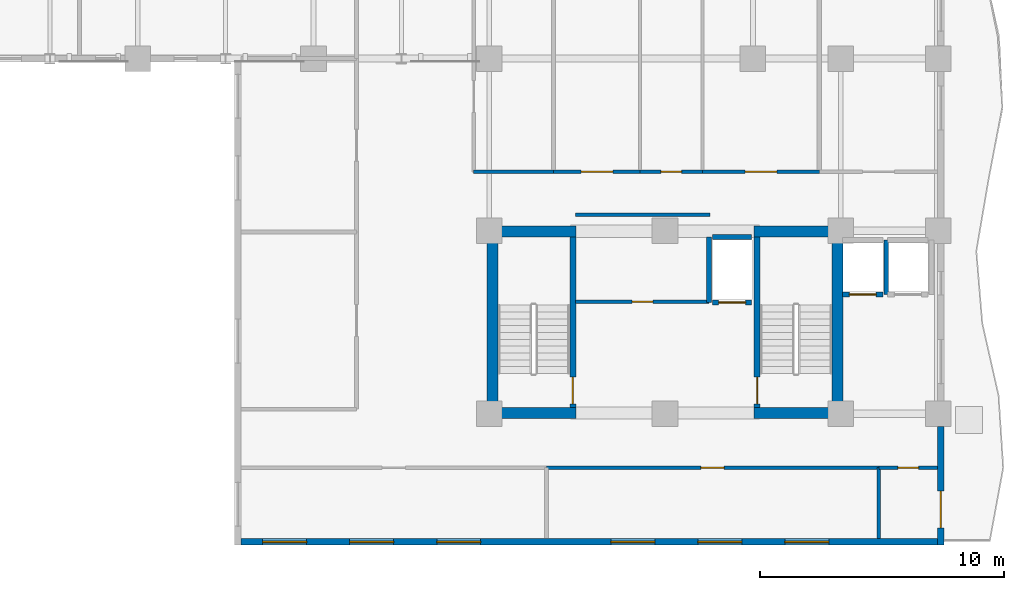
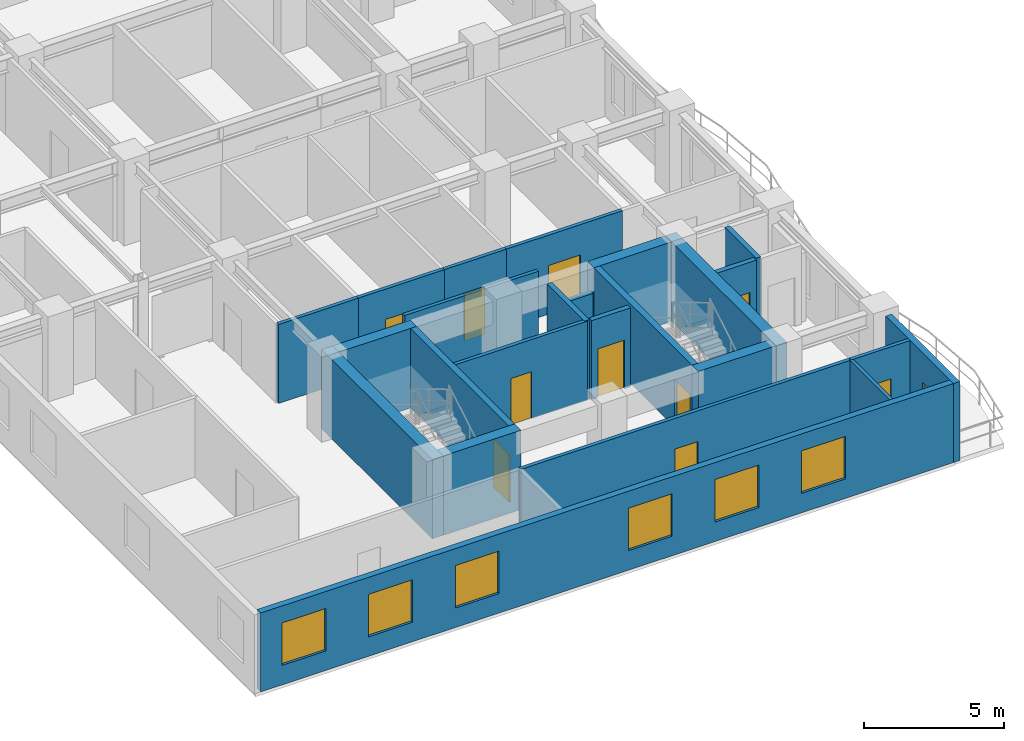
# One storey, part 6 of 14: 24 walls, 11 doors, 6 windows, 17 openings.
"""IFC4 building model written with IfcOpenShell, lengths in metres."""

from ifc_helpers import new_model, si_unit, direction, frame, frame_2d, origin, place, context, subcontext, project, spatial, rectangle, extrude, material, layer, layer_set, type_object, element, fill, save


model = new_model("IFC4")

# Units and contexts
model_context = context("Model", 3, precision=1e-05, world=origin(), true_north=direction((0.0, 1.0)))
body_context = subcontext(model_context, "Body", "Model", "MODEL_VIEW")
ifc_project = project(units=[si_unit("LENGTHUNIT", "METRE"), si_unit("AREAUNIT", "SQUARE_METRE"), si_unit("VOLUMEUNIT", "CUBIC_METRE"), si_unit("PLANEANGLEUNIT", "RADIAN"), si_unit("MASSUNIT", "GRAM", prefix="KILO")], contexts=[model_context])

# Site, building, storey
site_placement = place(None, origin())
site = spatial("IfcSite", under=ifc_project, at=site_placement, CompositionType="ELEMENT")
building_placement = place(site_placement, origin())
building = spatial("IfcBuilding", under=site, at=building_placement, Name="Kaliganga Portal Commons", CompositionType="ELEMENT")
storey_placement = place(building_placement, frame((0.0, 0.0, 151.300048828125)))
storey = spatial("IfcBuildingStorey", under=building, at=storey_placement, Name="L38", CompositionType="ELEMENT", Elevation=151.300048828125)

# Walls
ifc_material_1 = material(Name="Concrete C60/75", Category="concrete")
ifc_layer_1 = layer(ifc_material_1, 0.449951171875)
ifc_layer_set_1 = layer_set([ifc_layer_1], Name="Concrete C60/75")
wall_type_1 = type_object("IfcWallType", Name="WL-CORE-450", PredefinedType="SHEAR", material=ifc_layer_set_1)
for number, where, z_axis, x_axis, name in (
    (1, (36.125, 6.85009765625, 0.0), (0.0, 0.0, 1.0), (0.0, 1.0, 0.0), "Core B West Shear Wall L38"),
    (2, (50.27490234375, 6.85009765625, 0.0), (0.0, 0.0, 1.0), (0.0, 1.0, 0.0), "Core B East Shear Wall L38"),
):
    element("IfcWall", number, at=place(storey_placement, frame(where, z_axis=z_axis, x_axis=x_axis)), inside=storey, type_object=wall_type_1, Name=name, PredefinedType="SHEAR", context=body_context, shape_type="SweptSolid", body=[
        extrude(rectangle(XDim=7.89990234375, YDim=0.449951171875, at=frame_2d((3.949951171875, 0.0))), origin(), (0.0, 0.0, 1.0), 3.4599609375),
    ])
for number, where, z_axis, x_axis, name in (
    (3, (36.35009765625, 7.074951171875, 0.0), (0.0, 0.0, 1.0), (1.0, 0.0, 0.0), "Core B S-West Shear Wall L38"),
    (4, (46.85009765625, 7.074951171875, 0.0), (0.0, 0.0, 1.0), (1.0, 0.0, 0.0), "Core B S-East Shear Wall L38"),
    (5, (36.35009765625, 14.52490234375, 0.0), (0.0, 0.0, 1.0), (1.0, 0.0, 0.0), "Core B N-West Shear Wall L38"),
    (6, (46.85009765625, 14.52490234375, 0.0), (0.0, 0.0, 1.0), (1.0, 0.0, 0.0), "Core B N-East Shear Wall L38"),
):
    element("IfcWall", number, at=place(storey_placement, frame(where, z_axis=z_axis, x_axis=x_axis)), inside=storey, type_object=wall_type_1, Name=name, PredefinedType="SHEAR", context=body_context, shape_type="SweptSolid", body=[
        extrude(rectangle(XDim=3.199951171875, YDim=0.449951171875, at=frame_2d((1.60009765625, 0.0))), origin(), (0.0, 0.0, 1.0), 3.4599609375),
    ])

# Wall, openings, windows
ifc_material_2 = material(Name="Insulated Aluminium-Clad Spandrel Assembly", Category="aluminium")
ifc_layer_2 = layer(ifc_material_2, 0.260009765625)
ifc_layer_set_2 = layer_set([ifc_layer_2], Name="Insulated Aluminium-Clad Spandrel Assembly")
wall_type_2 = type_object("IfcWallType", Name="WL-EXT-SPAND-260", PredefinedType="STANDARD", material=ifc_layer_set_2)
wall_1_placement = place(storey_placement, frame((54.364990234375, 1.800048828125, 0.0), z_axis=(0.0, 0.0, 1.0), x_axis=(-1.0, 0.0, 0.0)))
wall_1 = element("IfcWall", 7, at=wall_1_placement, inside=storey, type_object=wall_type_2, Name="Exterior Envelope Wall L38 P1-E00-S1", PredefinedType="STANDARD", context=body_context, shape_type="SweptSolid", body=[
    extrude(rectangle(XDim=28.530029296875, YDim=0.260009765625, at=frame_2d((14.26513671875, 0.0))), origin(), (0.0, 0.0, 1.0), 3.43994140625),
])
opening_1_placement = place(wall_1_placement, frame((4.449462890625, 0.0, 0.85009765625)))
opening_1 = element("IfcOpeningElement", 8, at=opening_1_placement, cuts=wall_1, Name="Opening W-01", PredefinedType="OPENING", context=body_context, shape_type="SweptSolid", body=[
    extrude(rectangle(XDim=1.800048828125, YDim=1.85009765625, at=frame_2d((0.89990234375, 0.925048828125))), frame((0.0, 0.14013671875, 0.0), z_axis=(0.0, -1.0, 0.0), x_axis=(1.0, 0.0, 0.0)), (0.0, 0.0, 1.0), 0.280029296875),
])
opening_2_placement = place(wall_1_placement, frame((8.015625, 0.0, 0.85009765625)))
opening_2 = element("IfcOpeningElement", 9, at=opening_2_placement, cuts=wall_1, Name="Opening W-01", PredefinedType="OPENING", context=body_context, shape_type="SweptSolid", body=[
    extrude(rectangle(XDim=1.800048828125, YDim=1.85009765625, at=frame_2d((0.89990234375, 0.925048828125))), frame((0.0, 0.14013671875, 0.0), z_axis=(0.0, -1.0, 0.0), x_axis=(1.0, 0.0, 0.0)), (0.0, 0.0, 1.0), 0.280029296875),
])
opening_3_placement = place(wall_1_placement, frame((11.581787109375, 0.0, 0.85009765625)))
opening_3 = element("IfcOpeningElement", 10, at=opening_3_placement, cuts=wall_1, Name="Opening W-01", PredefinedType="OPENING", context=body_context, shape_type="SweptSolid", body=[
    extrude(rectangle(XDim=1.800048828125, YDim=1.85009765625, at=frame_2d((0.89990234375, 0.925048828125))), frame((0.0, 0.14013671875, 0.0), z_axis=(0.0, -1.0, 0.0), x_axis=(1.0, 0.0, 0.0)), (0.0, 0.0, 1.0), 0.280029296875),
])
opening_4_placement = place(wall_1_placement, frame((18.71435546875, 0.0, 0.85009765625)))
opening_4 = element("IfcOpeningElement", 11, at=opening_4_placement, cuts=wall_1, Name="Opening W-01", PredefinedType="OPENING", context=body_context, shape_type="SweptSolid", body=[
    extrude(rectangle(XDim=1.800048828125, YDim=1.85009765625, at=frame_2d((0.89990234375, 0.925048828125))), frame((0.0, 0.14013671875, 0.0), z_axis=(0.0, -1.0, 0.0), x_axis=(1.0, 0.0, 0.0)), (0.0, 0.0, 1.0), 0.280029296875),
])
opening_5_placement = place(wall_1_placement, frame((22.280517578125, 0.0, 0.85009765625)))
opening_5 = element("IfcOpeningElement", 12, at=opening_5_placement, cuts=wall_1, Name="Opening W-01", PredefinedType="OPENING", context=body_context, shape_type="SweptSolid", body=[
    extrude(rectangle(XDim=1.800048828125, YDim=1.85009765625, at=frame_2d((0.89990234375, 0.925048828125))), frame((0.0, 0.14013671875, 0.0), z_axis=(0.0, -1.0, 0.0), x_axis=(1.0, 0.0, 0.0)), (0.0, 0.0, 1.0), 0.280029296875),
])
opening_6_placement = place(wall_1_placement, frame((25.846923828125, 0.0, 0.85009765625)))
opening_6 = element("IfcOpeningElement", 13, at=opening_6_placement, cuts=wall_1, Name="Opening W-01", PredefinedType="OPENING", context=body_context, shape_type="SweptSolid", body=[
    extrude(rectangle(XDim=1.800048828125, YDim=1.85009765625, at=frame_2d((0.89990234375, 0.925048828125))), frame((0.0, 0.14013671875, 0.0), z_axis=(0.0, -1.0, 0.0), x_axis=(1.0, 0.0, 0.0)), (0.0, 0.0, 1.0), 0.280029296875),
])
ifc_material_3 = material(Name="Thermally Broken Aluminium and Low-E Double Glazing", Category="aluminium")
window_type = type_object("IfcWindowType", Name="WIN-STD-1800", PartitioningType="DOUBLE_PANEL_VERTICAL", PredefinedType="WINDOW", material=ifc_material_3)
window_1_placement = place(opening_1_placement, origin())
window_1 = element("IfcWindow", 14, at=window_1_placement, inside=storey, type_object=window_type, Name="Facade Window L38-P1E00S1-01", OverallHeight=1.85009765625, OverallWidth=1.800048828125, PartitioningType="SINGLE_PANEL", PredefinedType="WINDOW", context=body_context, shape_type="SweptSolid", body=[
    extrude(rectangle(XDim=1.800048828125, YDim=1.85009765625, at=frame_2d((0.89990234375, 0.925048828125))), frame((0.0, 0.030029296875, 0.0), z_axis=(0.0, -1.0, 0.0), x_axis=(1.0, 0.0, 0.0)), (0.0, 0.0, 1.0), 0.06005859375),
])
fill(opening_1, window_1)
window_2_placement = place(opening_2_placement, origin())
window_2 = element("IfcWindow", 15, at=window_2_placement, inside=storey, type_object=window_type, Name="Facade Window L38-P1E00S1-02", OverallHeight=1.85009765625, OverallWidth=1.800048828125, PartitioningType="SINGLE_PANEL", PredefinedType="WINDOW", context=body_context, shape_type="SweptSolid", body=[
    extrude(rectangle(XDim=1.800048828125, YDim=1.85009765625, at=frame_2d((0.89990234375, 0.925048828125))), frame((0.0, 0.030029296875, 0.0), z_axis=(0.0, -1.0, 0.0), x_axis=(1.0, 0.0, 0.0)), (0.0, 0.0, 1.0), 0.06005859375),
])
fill(opening_2, window_2)
window_3_placement = place(opening_3_placement, origin())
window_3 = element("IfcWindow", 16, at=window_3_placement, inside=storey, type_object=window_type, Name="Facade Window L38-P1E00S1-03", OverallHeight=1.85009765625, OverallWidth=1.800048828125, PartitioningType="SINGLE_PANEL", PredefinedType="WINDOW", context=body_context, shape_type="SweptSolid", body=[
    extrude(rectangle(XDim=1.800048828125, YDim=1.85009765625, at=frame_2d((0.89990234375, 0.925048828125))), frame((0.0, 0.030029296875, 0.0), z_axis=(0.0, -1.0, 0.0), x_axis=(1.0, 0.0, 0.0)), (0.0, 0.0, 1.0), 0.06005859375),
])
fill(opening_3, window_3)
window_4_placement = place(opening_4_placement, origin())
window_4 = element("IfcWindow", 17, at=window_4_placement, inside=storey, type_object=window_type, Name="Facade Window L38-P1E00S1-05", OverallHeight=1.85009765625, OverallWidth=1.800048828125, PartitioningType="SINGLE_PANEL", PredefinedType="WINDOW", context=body_context, shape_type="SweptSolid", body=[
    extrude(rectangle(XDim=1.800048828125, YDim=1.85009765625, at=frame_2d((0.89990234375, 0.925048828125))), frame((0.0, 0.030029296875, 0.0), z_axis=(0.0, -1.0, 0.0), x_axis=(1.0, 0.0, 0.0)), (0.0, 0.0, 1.0), 0.06005859375),
])
fill(opening_4, window_4)
window_5_placement = place(opening_5_placement, origin())
window_5 = element("IfcWindow", 18, at=window_5_placement, inside=storey, type_object=window_type, Name="Facade Window L38-P1E00S1-06", OverallHeight=1.85009765625, OverallWidth=1.800048828125, PartitioningType="SINGLE_PANEL", PredefinedType="WINDOW", context=body_context, shape_type="SweptSolid", body=[
    extrude(rectangle(XDim=1.800048828125, YDim=1.85009765625, at=frame_2d((0.89990234375, 0.925048828125))), frame((0.0, 0.030029296875, 0.0), z_axis=(0.0, -1.0, 0.0), x_axis=(1.0, 0.0, 0.0)), (0.0, 0.0, 1.0), 0.06005859375),
])
fill(opening_5, window_5)
window_6_placement = place(opening_6_placement, origin())
window_6 = element("IfcWindow", 19, at=window_6_placement, inside=storey, type_object=window_type, Name="Facade Window L38-P1E00S1-07", OverallHeight=1.85009765625, OverallWidth=1.800048828125, PartitioningType="SINGLE_PANEL", PredefinedType="WINDOW", context=body_context, shape_type="SweptSolid", body=[
    extrude(rectangle(XDim=1.800048828125, YDim=1.85009765625, at=frame_2d((0.89990234375, 0.925048828125))), frame((0.0, 0.030029296875, 0.0), z_axis=(0.0, -1.0, 0.0), x_axis=(1.0, 0.0, 0.0)), (0.0, 0.0, 1.0), 0.06005859375),
])
fill(opening_6, window_6)

# Wall, opening, door
wall_2_placement = place(storey_placement, frame((54.5, 6.52392578125, 0.0), z_axis=(0.0, 0.0, 1.0), x_axis=(0.0, -1.0, 0.0)))
wall_2 = element("IfcWall", 20, at=wall_2_placement, inside=storey, type_object=wall_type_2, Name="Exterior Envelope Wall L38 P1-E01-S1", PredefinedType="STANDARD", context=body_context, shape_type="SweptSolid", body=[
    extrude(rectangle(XDim=4.85400390625, YDim=0.260009765625, at=frame_2d((2.427001953125, 0.0))), origin(), (0.0, 0.0, 1.0), 3.43994140625),
])
opening_7_placement = place(wall_2_placement, frame((2.64794921875, 0.0, 0.0)))
opening_7 = element("IfcOpeningElement", 21, at=opening_7_placement, cuts=wall_2, Name="Opening BD-01", PredefinedType="OPENING", context=body_context, shape_type="SweptSolid", body=[
    extrude(rectangle(XDim=1.5, YDim=2.14990234375, at=frame_2d((0.75, 1.074951171875))), frame((0.0, 0.14013671875, 0.0), z_axis=(0.0, -1.0, 0.0), x_axis=(1.0, 0.0, 0.0)), (0.0, 0.0, 1.0), 0.280029296875),
])
ifc_material_4 = material(Name="Anodized Aluminium and Laminated Safety Glass", Category="aluminium")
door_type_1 = type_object("IfcDoorType", Name="DR-BALC-1500", OperationType="SLIDING_TO_LEFT", PredefinedType="DOOR", material=ifc_material_4)
door_1_placement = place(opening_7_placement, origin())
door_1 = element("IfcDoor", 22, at=door_1_placement, inside=storey, type_object=door_type_1, Name="Balcony Sliding Door L38 balc_east", OperationType="SLIDING_TO_LEFT", OverallHeight=2.14990234375, OverallWidth=1.5, PredefinedType="DOOR", context=body_context, shape_type="SweptSolid", body=[
    extrude(rectangle(XDim=1.5, YDim=2.14990234375, at=frame_2d((0.75, 1.074951171875))), frame((0.0, 0.02490234375, 0.0), z_axis=(0.0, -1.0, 0.0), x_axis=(1.0, 0.0, 0.0)), (0.0, 0.0, 1.0), 0.050048828125),
])
fill(opening_7, door_1)

ifc_material_5 = material(Name="Fire-Rated Gypsum Board on Steel Stud", Category="steel")
ifc_layer_3 = layer(ifc_material_5, 0.14990234375)
ifc_layer_set_3 = layer_set([ifc_layer_3], Name="Fire-Rated Gypsum Board on Steel Stud")
wall_type_3 = type_object("IfcWallType", Name="WL-PART-CORR-150", PredefinedType="PARTITIONING", material=ifc_layer_set_3)
wall_3_placement = place(storey_placement, frame((38.340087890625, 4.840087890625, 0.0), z_axis=(0.0, 0.0, 1.0), x_axis=(1.0, 0.0, 0.0)))
wall_3 = element("IfcWall", 23, at=wall_3_placement, inside=storey, type_object=wall_type_3, Name="Interior Partition L38-007", PredefinedType="PARTITIONING", context=body_context, shape_type="SweptSolid", body=[
    extrude(rectangle(XDim=13.619873046875, YDim=0.14990234375, at=frame_2d((6.81005859375, 0.0))), origin(), (0.0, 0.0, 1.0), 3.43994140625),
])
opening_8_placement = place(wall_3_placement, frame((6.3349609375, 0.0, 0.0)))
opening_8 = element("IfcOpeningElement", 24, at=opening_8_placement, cuts=wall_3, Name="Opening UD-01", PredefinedType="OPENING", context=body_context, shape_type="SweptSolid", body=[
    extrude(rectangle(XDim=0.949951171875, YDim=2.10009765625, at=frame_2d((0.47509765625, 1.050048828125))), frame((0.0, 0.0849609375, 0.0), z_axis=(0.0, -1.0, 0.0), x_axis=(1.0, 0.0, 0.0)), (0.0, 0.0, 1.0), 0.169921875),
])
ifc_material_6 = material(Name="Solid-Core Timber Acoustic Fire Door", Category="wood")
door_type_2 = type_object("IfcDoorType", Name="DR-UNIT-950", OperationType="NOTDEFINED", PredefinedType="DOOR", material=ifc_material_6)
door_2_placement = place(opening_8_placement, origin())
door_2 = element("IfcDoor", 25, at=door_2_placement, inside=storey, type_object=door_type_2, Name="Interior Door L38-BS02", OperationType="SINGLE_SWING_LEFT", OverallHeight=2.10009765625, OverallWidth=0.949951171875, PredefinedType="DOOR", context=body_context, shape_type="SweptSolid", body=[
    extrude(rectangle(XDim=0.949951171875, YDim=2.10009765625, at=frame_2d((0.47509765625, 1.050048828125))), frame((0.0, 0.02490234375, 0.0), z_axis=(0.0, -1.0, 0.0), x_axis=(1.0, 0.0, 0.0)), (0.0, 0.0, 1.0), 0.050048828125),
])
fill(opening_8, door_2)

wall_4_placement = place(storey_placement, frame((39.5400390625, 11.639892578125, 0.0), z_axis=(0.0, 0.0, 1.0), x_axis=(1.0, 0.0, 0.0)))
wall_4 = element("IfcWall", 26, at=wall_4_placement, inside=storey, type_object=wall_type_3, Name="Interior Partition L38-025", PredefinedType="PARTITIONING", context=body_context, shape_type="SweptSolid", body=[
    extrude(rectangle(XDim=5.469970703125, YDim=0.14990234375, at=frame_2d((2.73486328125, 0.0))), origin(), (0.0, 0.0, 1.0), 3.43994140625),
])
opening_9_placement = place(wall_4_placement, frame((2.31005859375, 0.0, 0.0)))
opening_9 = element("IfcOpeningElement", 27, at=opening_9_placement, cuts=wall_4, Name="Opening WD-01", PredefinedType="OPENING", context=body_context, shape_type="SweptSolid", body=[
    extrude(rectangle(XDim=0.85009765625, YDim=2.0400390625, at=frame_2d((0.425048828125, 1.02001953125))), frame((0.0, 0.0849609375, 0.0), z_axis=(0.0, -1.0, 0.0), x_axis=(1.0, 0.0, 0.0)), (0.0, 0.0, 1.0), 0.169921875),
])
ifc_material_7 = material(Name="Moisture-Resistant Laminate Timber Door", Category="wood")
door_type_3 = type_object("IfcDoorType", Name="DR-WET-850", OperationType="NOTDEFINED", PredefinedType="DOOR", material=ifc_material_7)
door_3_placement = place(opening_9_placement, origin())
door_3 = element("IfcDoor", 28, at=door_3_placement, inside=storey, type_object=door_type_3, Name="Interior Door L38-CREC_B1", OperationType="SINGLE_SWING_RIGHT", OverallHeight=2.0400390625, OverallWidth=0.85009765625, PredefinedType="DOOR", context=body_context, shape_type="SweptSolid", body=[
    extrude(rectangle(XDim=0.85009765625, YDim=2.0400390625, at=frame_2d((0.425048828125, 1.02001953125))), frame((0.0, 0.02490234375, 0.0), z_axis=(0.0, -1.0, 0.0), x_axis=(1.0, 0.0, 0.0)), (0.0, 0.0, 1.0), 0.050048828125),
])
fill(opening_9, door_3)

# Wall
wall_5_placement = place(storey_placement, frame((39.5400390625, 15.199951171875, 0.0), z_axis=(0.0, 0.0, 1.0), x_axis=(1.0, 0.0, 0.0)))
element("IfcWall", 29, at=wall_5_placement, inside=storey, type_object=wall_type_3, Name="Interior Partition L38-026", PredefinedType="PARTITIONING", context=body_context, shape_type="SweptSolid", body=[
    extrude(rectangle(XDim=5.5, YDim=0.14990234375, at=frame_2d((2.75, 0.0))), origin(), (0.0, 0.0, 1.0), 3.43994140625),
])

# Wall, opening, door
wall_6_placement = place(storey_placement, frame((44.739990234375, 16.9599609375, 0.0), z_axis=(0.0, 0.0, 1.0), x_axis=(1.0, 0.0, 0.0)))
wall_6 = element("IfcWall", 30, at=wall_6_placement, inside=storey, type_object=wall_type_3, Name="Interior Partition L38-032", PredefinedType="PARTITIONING", context=body_context, shape_type="SweptSolid", body=[
    extrude(rectangle(XDim=4.780029296875, YDim=0.14990234375, at=frame_2d((2.39013671875, 0.0))), origin(), (0.0, 0.0, 1.0), 3.43994140625),
])
opening_10_placement = place(wall_6_placement, frame((1.739990234375, 0.0, 0.0)))
opening_10 = element("IfcOpeningElement", 31, at=opening_10_placement, cuts=wall_6, Name="Opening RD-03", PredefinedType="OPENING", context=body_context, shape_type="SweptSolid", body=[
    extrude(rectangle(XDim=1.300048828125, YDim=2.1201171875, at=frame_2d((0.64990234375, 1.06005859375))), frame((0.0, 0.0849609375, 0.0), z_axis=(0.0, -1.0, 0.0), x_axis=(1.0, 0.0, 0.0)), (0.0, 0.0, 1.0), 0.169921875),
])
ifc_material_8 = material(Name="Glazed Timber Seminar Vision Door", Category="wood")
door_type_4 = type_object("IfcDoorType", Name="DR-STUDY-1300", OperationType="DOUBLE_DOOR_SINGLE_SWING", PredefinedType="DOOR", material=ifc_material_8)
door_4_placement = place(opening_10_placement, origin())
door_4 = element("IfcDoor", 32, at=door_4_placement, inside=storey, type_object=door_type_4, Name="Interior Door L38-BM04", OperationType="DOUBLE_DOOR_SINGLE_SWING", OverallHeight=2.1201171875, OverallWidth=1.300048828125, PredefinedType="DOOR", context=body_context, shape_type="SweptSolid", body=[
    extrude(rectangle(XDim=1.300048828125, YDim=2.1201171875, at=frame_2d((0.64990234375, 1.06005859375))), frame((0.0, 0.02490234375, 0.0), z_axis=(0.0, -1.0, 0.0), x_axis=(1.0, 0.0, 0.0)), (0.0, 0.0, 1.0), 0.050048828125),
])
fill(opening_10, door_4)

wall_7_placement = place(storey_placement, frame((38.639892578125, 16.9599609375, 0.0), z_axis=(0.0, 0.0, 1.0), x_axis=(1.0, 0.0, 0.0)))
wall_7 = element("IfcWall", 33, at=wall_7_placement, inside=storey, type_object=wall_type_3, Name="Interior Partition L38-045", PredefinedType="PARTITIONING", context=body_context, shape_type="SweptSolid", body=[
    extrude(rectangle(XDim=3.5400390625, YDim=0.14990234375, at=frame_2d((1.77001953125, 0.0))), origin(), (0.0, 0.0, 1.0), 3.43994140625),
])
opening_11_placement = place(wall_7_placement, frame((1.1201171875, 0.0, 0.0)))
opening_11 = element("IfcOpeningElement", 34, at=opening_11_placement, cuts=wall_7, Name="Opening RD-03", PredefinedType="OPENING", context=body_context, shape_type="SweptSolid", body=[
    extrude(rectangle(XDim=1.300048828125, YDim=2.1201171875, at=frame_2d((0.64990234375, 1.06005859375))), frame((0.0, 0.0849609375, 0.0), z_axis=(0.0, -1.0, 0.0), x_axis=(1.0, 0.0, 0.0)), (0.0, 0.0, 1.0), 0.169921875),
])
door_5_placement = place(opening_11_placement, origin())
door_5 = element("IfcDoor", 35, at=door_5_placement, inside=storey, type_object=door_type_4, Name="Interior Door L38-BM02", OperationType="DOUBLE_DOOR_SINGLE_SWING", OverallHeight=2.1201171875, OverallWidth=1.300048828125, PredefinedType="DOOR", context=body_context, shape_type="SweptSolid", body=[
    extrude(rectangle(XDim=1.300048828125, YDim=2.1201171875, at=frame_2d((0.64990234375, 1.06005859375))), frame((0.0, 0.02490234375, 0.0), z_axis=(0.0, -1.0, 0.0), x_axis=(1.0, 0.0, 0.0)), (0.0, 0.0, 1.0), 0.050048828125),
])
fill(opening_11, door_5)

# Wall
wall_8_placement = place(storey_placement, frame((35.360107421875, 16.9599609375, 0.0), z_axis=(0.0, 0.0, 1.0), x_axis=(1.0, 0.0, 0.0)))
element("IfcWall", 36, at=wall_8_placement, inside=storey, type_object=wall_type_3, Name="Interior Partition L38-047", PredefinedType="PARTITIONING", context=body_context, shape_type="SweptSolid", body=[
    extrude(rectangle(XDim=3.27978515625, YDim=0.14990234375, at=frame_2d((1.639892578125, 0.0))), origin(), (0.0, 0.0, 1.0), 3.43994140625),
])

# Wall, opening, door
wall_9_placement = place(storey_placement, frame((42.179931640625, 16.9599609375, 0.0), z_axis=(0.0, 0.0, 1.0), x_axis=(1.0, 0.0, 0.0)))
wall_9 = element("IfcWall", 37, at=wall_9_placement, inside=storey, type_object=wall_type_3, Name="Interior Partition L38-050", PredefinedType="PARTITIONING", context=body_context, shape_type="SweptSolid", body=[
    extrude(rectangle(XDim=2.56005859375, YDim=0.14990234375, at=frame_2d((1.280029296875, 0.0))), origin(), (0.0, 0.0, 1.0), 3.43994140625),
])
opening_12_placement = place(wall_9_placement, frame((0.85498046875, 0.0, 0.0)))
opening_12 = element("IfcOpeningElement", 38, at=opening_12_placement, cuts=wall_9, Name="Opening WD-01", PredefinedType="OPENING", context=body_context, shape_type="SweptSolid", body=[
    extrude(rectangle(XDim=0.85009765625, YDim=2.0400390625, at=frame_2d((0.425048828125, 1.02001953125))), frame((0.0, 0.0849609375, 0.0), z_axis=(0.0, -1.0, 0.0), x_axis=(1.0, 0.0, 0.0)), (0.0, 0.0, 1.0), 0.169921875),
])
door_6_placement = place(opening_12_placement, origin())
door_6 = element("IfcDoor", 39, at=door_6_placement, inside=storey, type_object=door_type_3, Name="Interior Door L38-BM03", OperationType="SINGLE_SWING_RIGHT", OverallHeight=2.0400390625, OverallWidth=0.85009765625, PredefinedType="DOOR", context=body_context, shape_type="SweptSolid", body=[
    extrude(rectangle(XDim=0.85009765625, YDim=2.0400390625, at=frame_2d((0.425048828125, 1.02001953125))), frame((0.0, 0.02490234375, 0.0), z_axis=(0.0, -1.0, 0.0), x_axis=(1.0, 0.0, 0.0)), (0.0, 0.0, 1.0), 0.050048828125),
])
fill(opening_12, door_6)

wall_10_placement = place(storey_placement, frame((51.9599609375, 4.840087890625, 0.0), z_axis=(0.0, 0.0, 1.0), x_axis=(1.0, 0.0, 0.0)))
wall_10 = element("IfcWall", 40, at=wall_10_placement, inside=storey, type_object=wall_type_3, Name="Interior Partition L38-053", PredefinedType="PARTITIONING", context=body_context, shape_type="SweptSolid", body=[
    extrude(rectangle(XDim=2.407958984375, YDim=0.14990234375, at=frame_2d((1.2041015625, 0.0))), origin(), (0.0, 0.0, 1.0), 3.43994140625),
])
opening_13_placement = place(wall_10_placement, frame((0.779052734375, 0.0, 0.0)))
opening_13 = element("IfcOpeningElement", 41, at=opening_13_placement, cuts=wall_10, Name="Opening WD-01", PredefinedType="OPENING", context=body_context, shape_type="SweptSolid", body=[
    extrude(rectangle(XDim=0.85009765625, YDim=2.0400390625, at=frame_2d((0.425048828125, 1.02001953125))), frame((0.0, 0.0849609375, 0.0), z_axis=(0.0, -1.0, 0.0), x_axis=(1.0, 0.0, 0.0)), (0.0, 0.0, 1.0), 0.169921875),
])
door_7_placement = place(opening_13_placement, origin())
door_7 = element("IfcDoor", 42, at=door_7_placement, inside=storey, type_object=door_type_3, Name="Interior Door L38-BS03", OperationType="SINGLE_SWING_RIGHT", OverallHeight=2.0400390625, OverallWidth=0.85009765625, PredefinedType="DOOR", context=body_context, shape_type="SweptSolid", body=[
    extrude(rectangle(XDim=0.85009765625, YDim=2.0400390625, at=frame_2d((0.425048828125, 1.02001953125))), frame((0.0, 0.02490234375, 0.0), z_axis=(0.0, -1.0, 0.0), x_axis=(1.0, 0.0, 0.0)), (0.0, 0.0, 1.0), 0.050048828125),
])
fill(opening_13, door_7)

# Wall
ifc_material_9 = material(Name="Cement-Board Wet-Room Partition", Category="gypsum")
ifc_layer_4 = layer(ifc_material_9, 0.135009765625)
ifc_layer_set_4 = layer_set([ifc_layer_4], Name="Cement-Board Wet-Room Partition")
wall_type_4 = type_object("IfcWallType", Name="WL-PART-WET-135", PredefinedType="PARTITIONING", material=ifc_layer_set_4)
wall_11_placement = place(storey_placement, frame((51.9599609375, 1.931884765625, 0.0), z_axis=(0.0, 0.0, 1.0), x_axis=(0.0, 1.0, 0.0)))
element("IfcWall", 43, at=wall_11_placement, inside=storey, type_object=wall_type_4, Name="Interior Partition L38-087", PredefinedType="PARTITIONING", context=body_context, shape_type="SweptSolid", body=[
    extrude(rectangle(XDim=2.908203125, YDim=0.135009765625, at=frame_2d((1.4541015625, 0.0))), origin(), (0.0, 0.0, 1.0), 3.43994140625),
])

# Wall, opening, door
ifc_material_10 = material(Name="Fire-Rated Shaftwall Masonry Assembly", Category="masonry")
ifc_layer_5 = layer(ifc_material_10, 0.199951171875)
ifc_layer_set_5 = layer_set([ifc_layer_5], Name="Fire-Rated Shaftwall Masonry Assembly")
wall_type_5 = type_object("IfcWallType", Name="WL-SHAFT-200", PredefinedType="PARTITIONING", material=ifc_layer_set_5)
wall_12_placement = place(storey_placement, frame((50.47509765625, 11.93505859375, 0.0), z_axis=(0.0, 0.0, 1.0), x_axis=(1.0, 0.0, 0.0)))
wall_12 = element("IfcWall", 44, at=wall_12_placement, inside=storey, type_object=wall_type_5, Name="Lift PL-B3 Hoistway Shaft Wall L38-S", PredefinedType="PARTITIONING", context=body_context, shape_type="SweptSolid", body=[
    extrude(rectangle(XDim=1.64990234375, YDim=0.199951171875, at=frame_2d((0.824951171875, 0.0))), origin(), (0.0, 0.0, 1.0), 3.43994140625),
])
opening_14_placement = place(wall_12_placement, frame((0.27490234375, 0.0, 0.0)))
opening_14 = element("IfcOpeningElement", 45, at=opening_14_placement, cuts=wall_12, Name="Opening LD-01", PredefinedType="OPENING", context=body_context, shape_type="SweptSolid", body=[
    extrude(rectangle(XDim=1.10009765625, YDim=2.1201171875, at=frame_2d((0.550048828125, 1.06005859375))), frame((0.0, 0.10986328125, 0.0), z_axis=(0.0, -1.0, 0.0), x_axis=(1.0, 0.0, 0.0)), (0.0, 0.0, 1.0), 0.219970703125),
])
ifc_material_11 = material(Name="Brushed Stainless Steel 316 Lift Landing Door", Category="steel")
door_type_5 = type_object("IfcDoorType", Name="DR-LIFT-1100", OperationType="SLIDING_TO_LEFT", PredefinedType="DOOR", material=ifc_material_11)
door_8_placement = place(opening_14_placement, origin())
door_8 = element("IfcDoor", 46, at=door_8_placement, inside=storey, type_object=door_type_5, Name="Lift PL-B3 Sliding Landing Door L38", OperationType="SLIDING_TO_LEFT", OverallHeight=2.1201171875, OverallWidth=1.10009765625, PredefinedType="DOOR", context=body_context, shape_type="SweptSolid", body=[
    extrude(rectangle(XDim=1.10009765625, YDim=2.1201171875, at=frame_2d((0.550048828125, 1.06005859375))), frame((0.0, 0.02490234375, 0.0), z_axis=(0.0, -1.0, 0.0), x_axis=(1.0, 0.0, 0.0)), (0.0, 0.0, 1.0), 0.050048828125),
])
fill(opening_14, door_8)

# Wall
wall_13_placement = place(storey_placement, frame((52.264892578125, 11.93505859375, 0.0), z_axis=(0.0, 0.0, 1.0), x_axis=(0.0, 1.0, 0.0)))
element("IfcWall", 47, at=wall_13_placement, inside=storey, type_object=wall_type_5, Name="Lift PL-B3 Hoistway Shaft Wall L38-E", PredefinedType="PARTITIONING", context=body_context, shape_type="SweptSolid", body=[
    extrude(rectangle(XDim=2.22998046875, YDim=0.199951171875, at=frame_2d((1.114990234375, 0.0))), origin(), (0.0, 0.0, 1.0), 3.43994140625),
])

# Wall, opening, door
wall_14_placement = place(storey_placement, frame((45.14990234375, 11.610107421875, 0.0), z_axis=(0.0, 0.0, 1.0), x_axis=(1.0, 0.0, 0.0)))
wall_14 = element("IfcWall", 48, at=wall_14_placement, inside=storey, type_object=wall_type_5, Name="Lift SL-B1 Hoistway Shaft Wall L38-S", PredefinedType="PARTITIONING", context=body_context, shape_type="SweptSolid", body=[
    extrude(rectangle(XDim=1.60009765625, YDim=0.199951171875, at=frame_2d((0.800048828125, 0.0))), origin(), (0.0, 0.0, 1.0), 3.43994140625),
])
opening_15_placement = place(wall_14_placement, frame((0.25, 0.0, 0.0)))
opening_15 = element("IfcOpeningElement", 49, at=opening_15_placement, cuts=wall_14, Name="Opening LD-01", PredefinedType="OPENING", context=body_context, shape_type="SweptSolid", body=[
    extrude(rectangle(XDim=1.10009765625, YDim=2.1201171875, at=frame_2d((0.550048828125, 1.06005859375))), frame((0.0, 0.10986328125, 0.0), z_axis=(0.0, -1.0, 0.0), x_axis=(1.0, 0.0, 0.0)), (0.0, 0.0, 1.0), 0.219970703125),
])
door_9_placement = place(opening_15_placement, origin())
door_9 = element("IfcDoor", 50, at=door_9_placement, inside=storey, type_object=door_type_5, Name="Lift SL-B1 Sliding Landing Door L38", OperationType="SLIDING_TO_LEFT", OverallHeight=2.1201171875, OverallWidth=1.10009765625, PredefinedType="DOOR", context=body_context, shape_type="SweptSolid", body=[
    extrude(rectangle(XDim=1.10009765625, YDim=2.1201171875, at=frame_2d((0.550048828125, 1.06005859375))), frame((0.0, 0.02490234375, 0.0), z_axis=(0.0, -1.0, 0.0), x_axis=(1.0, 0.0, 0.0)), (0.0, 0.0, 1.0), 0.050048828125),
])
fill(opening_15, door_9)

# Walls
wall_15_placement = place(storey_placement, frame((45.14990234375, 14.2900390625, 0.0), z_axis=(0.0, 0.0, 1.0), x_axis=(1.0, 0.0, 0.0)))
element("IfcWall", 51, at=wall_15_placement, inside=storey, type_object=wall_type_5, Name="Lift SL-B1 Hoistway Shaft Wall L38-N", PredefinedType="PARTITIONING", context=body_context, shape_type="SweptSolid", body=[
    extrude(rectangle(XDim=1.60009765625, YDim=0.199951171875, at=frame_2d((0.800048828125, 0.0))), origin(), (0.0, 0.0, 1.0), 2.43994140625),
])
wall_16_placement = place(storey_placement, frame((45.010009765625, 11.610107421875, 0.0), z_axis=(0.0, 0.0, 1.0), x_axis=(0.0, 1.0, 0.0)))
element("IfcWall", 52, at=wall_16_placement, inside=storey, type_object=wall_type_5, Name="Lift SL-B1 Hoistway Shaft Wall L38-W", PredefinedType="PARTITIONING", context=body_context, shape_type="SweptSolid", body=[
    extrude(rectangle(XDim=2.679931640625, YDim=0.199951171875, at=frame_2d((1.33984375, 0.0))), origin(), (0.0, 0.0, 1.0), 3.43994140625),
])

# Wall, opening, door
ifc_material_12 = material(Name="Concrete C50/60", Category="concrete")
ifc_layer_6 = layer(ifc_material_12, 0.25)
ifc_layer_set_6 = layer_set([ifc_layer_6], Name="Concrete C50/60")
wall_type_6 = type_object("IfcWallType", Name="WL-STAIR-250", PredefinedType="SHEAR", material=ifc_layer_set_6)
wall_17_placement = place(storey_placement, frame((39.425048828125, 7.300048828125, 0.0), z_axis=(0.0, 0.0, 1.0), x_axis=(0.0, 1.0, 0.0)))
wall_17 = element("IfcWall", 53, at=wall_17_placement, inside=storey, type_object=wall_type_6, Name="Stair B1 Enclosure Shear Wall L38", PredefinedType="SHEAR", context=body_context, shape_type="SweptSolid", body=[
    extrude(rectangle(XDim=7.0, YDim=0.25, at=frame_2d((3.5, 0.0))), origin(), (0.0, 0.0, 1.0), 3.4599609375),
])
opening_16_placement = place(wall_17_placement, frame((0.14990234375, 0.0, 0.0)))
opening_16 = element("IfcOpeningElement", 54, at=opening_16_placement, cuts=wall_17, Name="Opening SD-01", PredefinedType="OPENING", context=body_context, shape_type="SweptSolid", body=[
    extrude(rectangle(XDim=1.10009765625, YDim=2.080078125, at=frame_2d((0.550048828125, 1.0400390625))), frame((0.0, 0.135009765625, 0.0), z_axis=(0.0, -1.0, 0.0), x_axis=(1.0, 0.0, 0.0)), (0.0, 0.0, 1.0), 0.27001953125),
])
ifc_material_13 = material(Name="Galvanized Steel Fire Door Leaf and Frame", Category="steel")
door_type_6 = type_object("IfcDoorType", Name="DR-STAIR-1100", OperationType="NOTDEFINED", PredefinedType="DOOR", material=ifc_material_13)
door_10_placement = place(opening_16_placement, origin())
door_10 = element("IfcDoor", 55, at=door_10_placement, inside=storey, type_object=door_type_6, Name="Protected Stair ST-B1 Fire Door L38", OperationType="SINGLE_SWING_RIGHT", OverallHeight=2.080078125, OverallWidth=1.10009765625, PredefinedType="DOOR", context=body_context, shape_type="SweptSolid", body=[
    extrude(rectangle(XDim=1.10009765625, YDim=2.080078125, at=frame_2d((0.550048828125, 1.0400390625))), frame((0.0, 0.02490234375, 0.0), z_axis=(0.0, -1.0, 0.0), x_axis=(1.0, 0.0, 0.0)), (0.0, 0.0, 1.0), 0.050048828125),
])
fill(opening_16, door_10)

wall_18_placement = place(storey_placement, frame((46.97509765625, 7.300048828125, 0.0), z_axis=(0.0, 0.0, 1.0), x_axis=(0.0, 1.0, 0.0)))
wall_18 = element("IfcWall", 56, at=wall_18_placement, inside=storey, type_object=wall_type_6, Name="Stair B2 Enclosure Shear Wall L38", PredefinedType="SHEAR", context=body_context, shape_type="SweptSolid", body=[
    extrude(rectangle(XDim=7.0, YDim=0.25, at=frame_2d((3.5, 0.0))), origin(), (0.0, 0.0, 1.0), 3.4599609375),
])
opening_17_placement = place(wall_18_placement, frame((0.14990234375, 0.0, 0.0)))
opening_17 = element("IfcOpeningElement", 57, at=opening_17_placement, cuts=wall_18, Name="Opening SD-01", PredefinedType="OPENING", context=body_context, shape_type="SweptSolid", body=[
    extrude(rectangle(XDim=1.10009765625, YDim=2.080078125, at=frame_2d((0.550048828125, 1.0400390625))), frame((0.0, 0.135009765625, 0.0), z_axis=(0.0, -1.0, 0.0), x_axis=(1.0, 0.0, 0.0)), (0.0, 0.0, 1.0), 0.27001953125),
])
door_11_placement = place(opening_17_placement, origin())
door_11 = element("IfcDoor", 58, at=door_11_placement, inside=storey, type_object=door_type_6, Name="Protected Stair ST-B2 Fire Door L38", OperationType="SINGLE_SWING_LEFT", OverallHeight=2.080078125, OverallWidth=1.10009765625, PredefinedType="DOOR", context=body_context, shape_type="SweptSolid", body=[
    extrude(rectangle(XDim=1.10009765625, YDim=2.080078125, at=frame_2d((0.550048828125, 1.0400390625))), frame((0.0, 0.02490234375, 0.0), z_axis=(0.0, -1.0, 0.0), x_axis=(1.0, 0.0, 0.0)), (0.0, 0.0, 1.0), 0.050048828125),
])
fill(opening_17, door_11)

save(model, "model.ifc")
